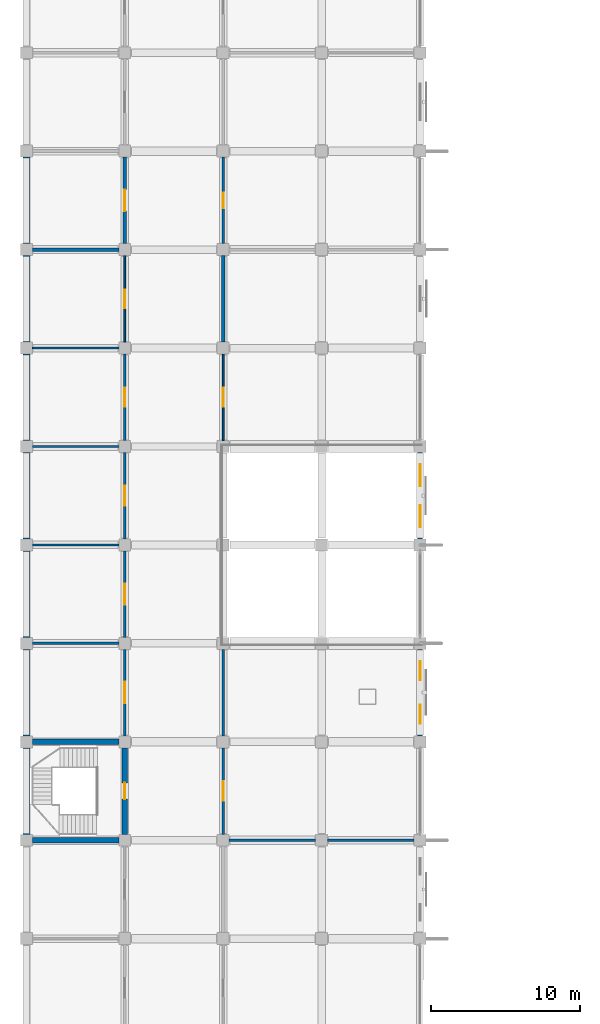
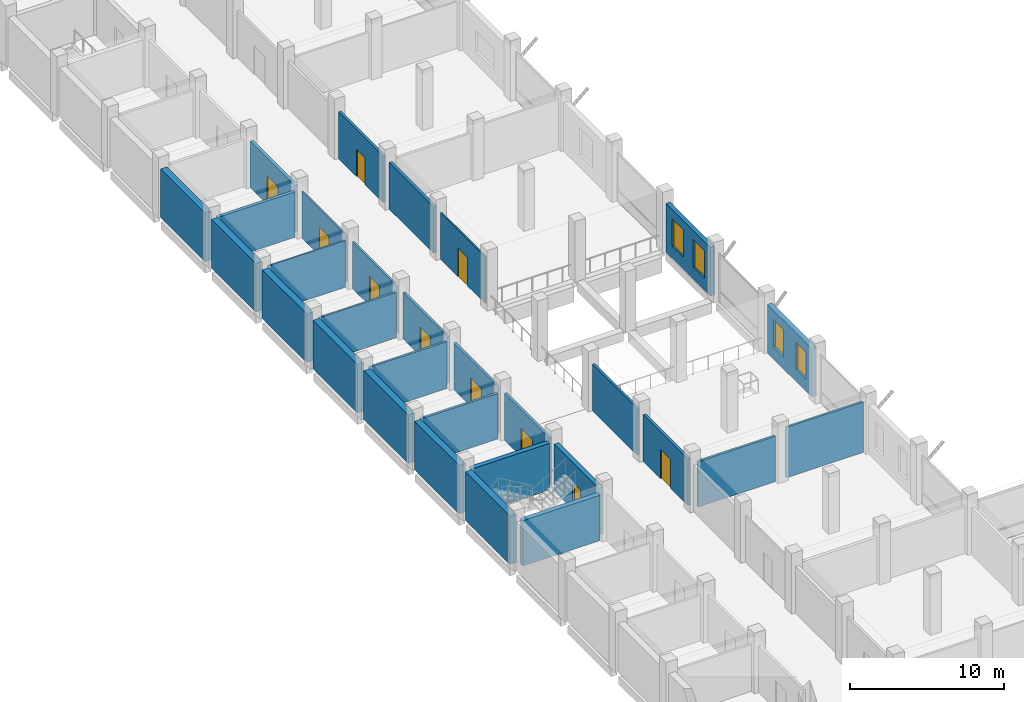
# One storey, part 23 of 34: 30 walls, 10 doors, 4 windows, 14 openings.
"""IFC4 building model written with IfcOpenShell, lengths in metres."""

from ifc_helpers import new_model, si_unit, direction, frame, frame_2d, origin, place, context, subcontext, project, spatial, rectangle, extrude, material, layer, layer_set, type_object, element, fill, save


model = new_model("IFC4")

# Units and contexts
model_context = context("Model", 3, precision=1e-05, world=origin(), true_north=direction((0.0, 1.0)))
body_context = subcontext(model_context, "Body", "Model", "MODEL_VIEW")
ifc_project = project(units=[si_unit("LENGTHUNIT", "METRE"), si_unit("AREAUNIT", "SQUARE_METRE"), si_unit("VOLUMEUNIT", "CUBIC_METRE"), si_unit("PLANEANGLEUNIT", "RADIAN"), si_unit("MASSUNIT", "GRAM", prefix="KILO")], contexts=[model_context])

# Site, building, storey
site_placement = place(None, origin())
site = spatial("IfcSite", under=ifc_project, at=site_placement, CompositionType="ELEMENT")
building_placement = place(site_placement, origin())
building = spatial("IfcBuilding", under=site, at=building_placement, Name="Rusizi Kubbe Research Institute", CompositionType="ELEMENT")
storey_placement = place(building_placement, frame((0.0, 0.0, 5.39990234375)))
storey = spatial("IfcBuildingStorey", under=building, at=storey_placement, Name="L01", CompositionType="ELEMENT", Elevation=5.39990234375)

# Walls
ifc_material_1 = material(Name="Concrete C45/55", Category="concrete")
ifc_layer_1 = layer(ifc_material_1, 0.35009765625)
ifc_layer_set_1 = layer_set([ifc_layer_1], Name="Concrete C45/55")
wall_type_1 = type_object("IfcWallType", Name="CRW-01", PredefinedType="SHEAR", material=ifc_layer_set_1)
wall_1_placement = place(storey_placement, frame((0.39990234375, 66.0, 0.0), z_axis=(0.0, 0.0, 1.0), x_axis=(1.0, 0.0, 0.0)))
element("IfcWall", 1, at=wall_1_placement, inside=storey, type_object=wall_type_1, Name="Stair Core Shear Wall ST5 L01 S", PredefinedType="SHEAR", context=body_context, shape_type="SweptSolid", body=[
    extrude(rectangle(XDim=5.800048828125, YDim=0.35009765625, at=frame_2d((2.89990234375, 0.0))), origin(), (0.0, 0.0, 1.0), 3.60009765625),
])
wall_2_placement = place(storey_placement, frame((0.39990234375, 72.60009765625, 0.0), z_axis=(0.0, 0.0, 1.0), x_axis=(1.0, 0.0, 0.0)))
element("IfcWall", 2, at=wall_2_placement, inside=storey, type_object=wall_type_1, Name="Stair Core Shear Wall ST5 L01 N", PredefinedType="SHEAR", context=body_context, shape_type="SweptSolid", body=[
    extrude(rectangle(XDim=5.800048828125, YDim=0.35009765625, at=frame_2d((2.89990234375, 0.0))), origin(), (0.0, 0.0, 1.0), 3.7001953125),
])

# Wall, opening, door
wall_3_placement = place(storey_placement, frame((6.60009765625, 66.39990234375, 0.0), z_axis=(0.0, 0.0, 1.0), x_axis=(0.0, 1.0, 0.0)))
wall_3 = element("IfcWall", 3, at=wall_3_placement, inside=storey, type_object=wall_type_1, Name="Stair Core Shear Wall ST5 L01 E", PredefinedType="SHEAR", context=body_context, shape_type="SweptSolid", body=[
    extrude(rectangle(XDim=5.800048828125, YDim=0.35009765625, at=frame_2d((2.89990234375, 0.0))), origin(), (0.0, 0.0, 1.0), 3.7001953125),
])
opening_1_placement = place(wall_3_placement, frame((2.35009765625, 0.0, 0.0)))
opening_1 = element("IfcOpeningElement", 4, at=opening_1_placement, cuts=wall_3, Name="Opening D-01", PredefinedType="OPENING", context=body_context, shape_type="SweptSolid", body=[
    extrude(rectangle(XDim=1.10009765625, YDim=2.14990234375, at=frame_2d((0.550048828125, 1.074951171875))), frame((0.0, 0.18505859375, 0.0), z_axis=(0.0, -1.0, 0.0), x_axis=(1.0, 0.0, 0.0)), (0.0, 0.0, 1.0), 0.3701171875),
])
ifc_material_2 = material(Name="Fire-Rated Steel Frame and Acoustic Timber Leaf", Category="wood")
door_type_1 = type_object("IfcDoorType", Name="ID-STAIR-110", OperationType="NOTDEFINED", PredefinedType="DOOR", material=ifc_material_2)
door_1_placement = place(opening_1_placement, origin())
door_1 = element("IfcDoor", 5, at=door_1_placement, inside=storey, type_object=door_type_1, Name="Exit Stair Door ST5 L01", OperationType="SINGLE_SWING_LEFT", OverallHeight=2.14990234375, OverallWidth=1.10009765625, PredefinedType="DOOR", context=body_context, shape_type="SweptSolid", body=[
    extrude(rectangle(XDim=1.10009765625, YDim=2.14990234375, at=frame_2d((0.550048828125, 1.074951171875))), frame((0.0, 0.02490234375, 0.0), z_axis=(0.0, -1.0, 0.0), x_axis=(1.0, 0.0, 0.0)), (0.0, 0.0, 1.0), 0.050048828125),
])
fill(opening_1, door_1)

# Wall, openings, windows
ifc_material_3 = material(Name="Volcanic Basalt Ashlar Masonry", Category="masonry")
ifc_layer_2 = layer(ifc_material_3, 0.35498046875)
ifc_layer_set_2 = layer_set([ifc_layer_2], Name="Volcanic Basalt Ashlar Masonry")
wall_type_2 = type_object("IfcWallType", Name="EW-06", PredefinedType="SOLIDWALL", material=ifc_layer_set_2)
wall_4_placement = place(storey_placement, frame((26.39990234375, 73.0, 0.0), z_axis=(0.0, 0.0, 1.0), x_axis=(0.0, 1.0, 0.0)))
wall_4 = element("IfcWall", 6, at=wall_4_placement, inside=storey, type_object=wall_type_2, Name="Ablaq Stone Exterior Wall L01 V4-11", PredefinedType="SOLIDWALL", context=body_context, shape_type="SweptSolid", body=[
    extrude(rectangle(XDim=5.800048828125, YDim=0.35498046875, at=frame_2d((2.89990234375, 0.0))), origin(), (0.0, 0.0, 1.0), 3.85009765625),
])
opening_2_placement = place(wall_4_placement, frame((0.800048828125, 0.0, 0.949951171875)))
opening_2 = element("IfcOpeningElement", 7, at=opening_2_placement, cuts=wall_4, Name="Opening WN-35", PredefinedType="OPENING", context=body_context, shape_type="SweptSolid", body=[
    extrude(rectangle(XDim=1.280029296875, YDim=2.159912109375, at=frame_2d((0.64013671875, 1.080078125))), frame((0.0, 0.1875, 0.0), z_axis=(0.0, -1.0, 0.0), x_axis=(1.0, 0.0, 0.0)), (0.0, 0.0, 1.0), 0.375),
])
opening_3_placement = place(wall_4_placement, frame((3.719970703125, 0.0, 0.949951171875)))
opening_3 = element("IfcOpeningElement", 8, at=opening_3_placement, cuts=wall_4, Name="Opening WN-35", PredefinedType="OPENING", context=body_context, shape_type="SweptSolid", body=[
    extrude(rectangle(XDim=1.280029296875, YDim=2.159912109375, at=frame_2d((0.64013671875, 1.080078125))), frame((0.0, 0.1875, 0.0), z_axis=(0.0, -1.0, 0.0), x_axis=(1.0, 0.0, 0.0)), (0.0, 0.0, 1.0), 0.375),
])
ifc_material_4 = material(Name="Aluminium Frame and Solar-Control Double Glazing", Category="glass")
window_type_1 = type_object("IfcWindowType", Name="WN-35", PartitioningType="SINGLE_PANEL", PredefinedType="WINDOW", material=ifc_material_4)
window_1_placement = place(opening_2_placement, origin())
window_1 = element("IfcWindow", 9, at=window_1_placement, inside=storey, type_object=window_type_1, Name="Casement Window WN-35 L01", OverallHeight=2.159912109375, OverallWidth=1.280029296875, PartitioningType="SINGLE_PANEL", PredefinedType="WINDOW", context=body_context, shape_type="SweptSolid", body=[
    extrude(rectangle(XDim=1.280029296875, YDim=2.159912109375, at=frame_2d((0.64013671875, 1.080078125))), frame((0.0, 0.030029296875, 0.0), z_axis=(0.0, -1.0, 0.0), x_axis=(1.0, 0.0, 0.0)), (0.0, 0.0, 1.0), 0.06005859375),
])
fill(opening_2, window_1)
window_2_placement = place(opening_3_placement, origin())
window_2 = element("IfcWindow", 10, at=window_2_placement, inside=storey, type_object=window_type_1, Name="Casement Window WN-35 L01", OverallHeight=2.159912109375, OverallWidth=1.280029296875, PartitioningType="SINGLE_PANEL", PredefinedType="WINDOW", context=body_context, shape_type="SweptSolid", body=[
    extrude(rectangle(XDim=1.280029296875, YDim=2.159912109375, at=frame_2d((0.64013671875, 1.080078125))), frame((0.0, 0.030029296875, 0.0), z_axis=(0.0, -1.0, 0.0), x_axis=(1.0, 0.0, 0.0)), (0.0, 0.0, 1.0), 0.06005859375),
])
fill(opening_3, window_2)

ifc_material_5 = material(Name="Volcanic Basalt Ashlar Masonry", Category="masonry")
ifc_layer_3 = layer(ifc_material_5, 0.324951171875)
ifc_layer_set_3 = layer_set([ifc_layer_3], Name="Volcanic Basalt Ashlar Masonry")
wall_type_3 = type_object("IfcWallType", Name="EW-08", PredefinedType="SOLIDWALL", material=ifc_layer_set_3)
wall_5_placement = place(storey_placement, frame((26.39990234375, 86.199951171875, 0.0), z_axis=(0.0, 0.0, 1.0), x_axis=(0.0, 1.0, 0.0)))
wall_5 = element("IfcWall", 11, at=wall_5_placement, inside=storey, type_object=wall_type_3, Name="Ablaq Stone Exterior Wall L01 V4-13", PredefinedType="SOLIDWALL", context=body_context, shape_type="SweptSolid", body=[
    extrude(rectangle(XDim=5.800048828125, YDim=0.324951171875, at=frame_2d((2.89990234375, 0.0))), origin(), (0.0, 0.0, 1.0), 3.85009765625),
])
opening_4_placement = place(wall_5_placement, frame((0.800048828125, 0.0, 0.949951171875)))
opening_4 = element("IfcOpeningElement", 12, at=opening_4_placement, cuts=wall_5, Name="Opening WN-36", PredefinedType="OPENING", context=body_context, shape_type="SweptSolid", body=[
    extrude(rectangle(XDim=1.4599609375, YDim=2.179931640625, at=frame_2d((0.72998046875, 1.08984375))), frame((0.0, 0.17236328125, 0.0), z_axis=(0.0, -1.0, 0.0), x_axis=(1.0, 0.0, 0.0)), (0.0, 0.0, 1.0), 0.344970703125),
])
opening_5_placement = place(wall_5_placement, frame((3.5400390625, 0.0, 0.949951171875)))
opening_5 = element("IfcOpeningElement", 13, at=opening_5_placement, cuts=wall_5, Name="Opening WN-36", PredefinedType="OPENING", context=body_context, shape_type="SweptSolid", body=[
    extrude(rectangle(XDim=1.4599609375, YDim=2.179931640625, at=frame_2d((0.72998046875, 1.08984375))), frame((0.0, 0.17236328125, 0.0), z_axis=(0.0, -1.0, 0.0), x_axis=(1.0, 0.0, 0.0)), (0.0, 0.0, 1.0), 0.344970703125),
])
ifc_material_6 = material(Name="Aluminium Frame and Solar-Control Double Glazing", Category="glass")
window_type_2 = type_object("IfcWindowType", Name="WN-36", PartitioningType="DOUBLE_PANEL_VERTICAL", PredefinedType="WINDOW", material=ifc_material_6)
window_3_placement = place(opening_4_placement, origin())
window_3 = element("IfcWindow", 14, at=window_3_placement, inside=storey, type_object=window_type_2, Name="Casement Window WN-36 L01", OverallHeight=2.179931640625, OverallWidth=1.4599609375, PartitioningType="DOUBLE_PANEL_VERTICAL", PredefinedType="WINDOW", context=body_context, shape_type="SweptSolid", body=[
    extrude(rectangle(XDim=1.4599609375, YDim=2.179931640625, at=frame_2d((0.72998046875, 1.08984375))), frame((0.0, 0.030029296875, 0.0), z_axis=(0.0, -1.0, 0.0), x_axis=(1.0, 0.0, 0.0)), (0.0, 0.0, 1.0), 0.06005859375),
])
fill(opening_4, window_3)
window_4_placement = place(opening_5_placement, origin())
window_4 = element("IfcWindow", 15, at=window_4_placement, inside=storey, type_object=window_type_2, Name="Casement Window WN-36 L01", OverallHeight=2.179931640625, OverallWidth=1.4599609375, PartitioningType="DOUBLE_PANEL_VERTICAL", PredefinedType="WINDOW", context=body_context, shape_type="SweptSolid", body=[
    extrude(rectangle(XDim=1.4599609375, YDim=2.179931640625, at=frame_2d((0.72998046875, 1.08984375))), frame((0.0, 0.030029296875, 0.0), z_axis=(0.0, -1.0, 0.0), x_axis=(1.0, 0.0, 0.0)), (0.0, 0.0, 1.0), 0.06005859375),
])
fill(opening_5, window_4)

# Wall
ifc_material_7 = material(Name="Concrete Blockwork Fire Partition", Category="masonry")
ifc_layer_4 = layer(ifc_material_7, 0.22509765625)
ifc_layer_set_4 = layer_set([ifc_layer_4], Name="Concrete Blockwork Fire Partition")
wall_type_4 = type_object("IfcWallType", Name="IW-01", PredefinedType="PARTITIONING", material=ifc_layer_set_4)
wall_6_placement = place(storey_placement, frame((0.39990234375, 105.60009765625, 0.0), z_axis=(0.0, 0.0, 1.0), x_axis=(1.0, 0.0, 0.0)))
element("IfcWall", 16, at=wall_6_placement, inside=storey, type_object=wall_type_4, Name="Interior Partition Wall L01 H0-16", PredefinedType="PARTITIONING", context=body_context, shape_type="SweptSolid", body=[
    extrude(rectangle(XDim=5.800048828125, YDim=0.22509765625, at=frame_2d((2.89990234375, 0.0))), origin(), (0.0, 0.0, 1.0), 3.60009765625),
])

# Wall, opening, door
wall_7_placement = place(storey_placement, frame((6.60009765625, 106.0, 0.0), z_axis=(0.0, 0.0, 1.0), x_axis=(0.0, 1.0, 0.0)))
wall_7 = element("IfcWall", 17, at=wall_7_placement, inside=storey, type_object=wall_type_4, Name="Interior Partition Wall L01 V1-16", PredefinedType="PARTITIONING", context=body_context, shape_type="SweptSolid", body=[
    extrude(rectangle(XDim=5.800048828125, YDim=0.22509765625, at=frame_2d((2.89990234375, 0.0))), origin(), (0.0, 0.0, 1.0), 3.7001953125),
])
opening_6_placement = place(wall_7_placement, frame((2.175048828125, 0.0, 0.0)))
opening_6 = element("IfcOpeningElement", 18, at=opening_6_placement, cuts=wall_7, Name="Opening D-11", PredefinedType="OPENING", context=body_context, shape_type="SweptSolid", body=[
    extrude(rectangle(XDim=1.449951171875, YDim=2.25, at=frame_2d((0.72509765625, 1.125))), frame((0.0, 0.12255859375, 0.0), z_axis=(0.0, -1.0, 0.0), x_axis=(1.0, 0.0, 0.0)), (0.0, 0.0, 1.0), 0.2451171875),
])
ifc_material_8 = material(Name="Fire-Rated Steel Frame and Acoustic Timber Leaf", Category="wood")
door_type_2 = type_object("IfcDoorType", Name="ID-LAB-145", OperationType="NOTDEFINED", PredefinedType="DOOR", material=ifc_material_8)
door_2_placement = place(opening_6_placement, origin())
door_2 = element("IfcDoor", 19, at=door_2_placement, inside=storey, type_object=door_type_2, Name="Door to Service Spine Autoclave Room (L01-WSP-16)", OperationType="SINGLE_SWING_LEFT", OverallHeight=2.25, OverallWidth=1.449951171875, PredefinedType="DOOR", context=body_context, shape_type="SweptSolid", body=[
    extrude(rectangle(XDim=1.449951171875, YDim=2.25, at=frame_2d((0.72509765625, 1.125))), frame((0.0, 0.02490234375, 0.0), z_axis=(0.0, -1.0, 0.0), x_axis=(1.0, 0.0, 0.0)), (0.0, 0.0, 1.0), 0.050048828125),
])
fill(opening_6, door_2)

# Wall
wall_8_placement = place(storey_placement, frame((13.199951171875, 99.39990234375, 0.0), z_axis=(0.0, 0.0, 1.0), x_axis=(0.0, 1.0, 0.0)))
element("IfcWall", 20, at=wall_8_placement, inside=storey, type_object=wall_type_4, Name="Interior Partition Wall L01 V2-15", PredefinedType="PARTITIONING", context=body_context, shape_type="SweptSolid", body=[
    extrude(rectangle(XDim=5.800048828125, YDim=0.22509765625, at=frame_2d((2.89990234375, 0.0))), origin(), (0.0, 0.0, 1.0), 3.7001953125),
])

# Wall, opening, door
ifc_material_9 = material(Name="Insulated Cleanroom Partition", Category="masonry")
ifc_layer_5 = layer(ifc_material_9, 0.195068359375)
ifc_layer_set_5 = layer_set([ifc_layer_5], Name="Insulated Cleanroom Partition")
wall_type_5 = type_object("IfcWallType", Name="IW-02", PredefinedType="PARTITIONING", material=ifc_layer_set_5)
wall_9_placement = place(storey_placement, frame((6.60009765625, 73.0, 0.0), z_axis=(0.0, 0.0, 1.0), x_axis=(0.0, 1.0, 0.0)))
wall_9 = element("IfcWall", 21, at=wall_9_placement, inside=storey, type_object=wall_type_5, Name="Interior Partition Wall L01 V1-11", PredefinedType="PARTITIONING", context=body_context, shape_type="SweptSolid", body=[
    extrude(rectangle(XDim=5.800048828125, YDim=0.195068359375, at=frame_2d((2.89990234375, 0.0))), origin(), (0.0, 0.0, 1.0), 3.7001953125),
])
opening_7_placement = place(wall_9_placement, frame((2.175048828125, 0.0, 0.0)))
opening_7 = element("IfcOpeningElement", 22, at=opening_7_placement, cuts=wall_9, Name="Opening D-11", PredefinedType="OPENING", context=body_context, shape_type="SweptSolid", body=[
    extrude(rectangle(XDim=1.449951171875, YDim=2.25, at=frame_2d((0.72509765625, 1.125))), frame((0.0, 0.107421875, 0.0), z_axis=(0.0, -1.0, 0.0), x_axis=(1.0, 0.0, 0.0)), (0.0, 0.0, 1.0), 0.215087890625),
])
door_3_placement = place(opening_7_placement, origin())
door_3 = element("IfcDoor", 23, at=door_3_placement, inside=storey, type_object=door_type_2, Name="Door to Clean Room Metrology Laboratory (L01-WSP-11)", OperationType="SINGLE_SWING_LEFT", OverallHeight=2.25, OverallWidth=1.449951171875, PredefinedType="DOOR", context=body_context, shape_type="SweptSolid", body=[
    extrude(rectangle(XDim=1.449951171875, YDim=2.25, at=frame_2d((0.72509765625, 1.125))), frame((0.0, 0.02490234375, 0.0), z_axis=(0.0, -1.0, 0.0), x_axis=(1.0, 0.0, 0.0)), (0.0, 0.0, 1.0), 0.050048828125),
])
fill(opening_7, door_3)

wall_10_placement = place(storey_placement, frame((13.199951171875, 66.39990234375, 0.0), z_axis=(0.0, 0.0, 1.0), x_axis=(0.0, 1.0, 0.0)))
wall_10 = element("IfcWall", 24, at=wall_10_placement, inside=storey, type_object=wall_type_5, Name="Interior Partition Wall L01 V2-10", PredefinedType="PARTITIONING", context=body_context, shape_type="SweptSolid", body=[
    extrude(rectangle(XDim=5.800048828125, YDim=0.195068359375, at=frame_2d((2.89990234375, 0.0))), origin(), (0.0, 0.0, 1.0), 3.7001953125),
])
opening_8_placement = place(wall_10_placement, frame((2.25, 0.0, 0.0)))
opening_8 = element("IfcOpeningElement", 25, at=opening_8_placement, cuts=wall_10, Name="Opening D-14", PredefinedType="OPENING", context=body_context, shape_type="SweptSolid", body=[
    extrude(rectangle(XDim=1.300048828125, YDim=2.300048828125, at=frame_2d((0.64990234375, 1.14990234375))), frame((0.0, 0.107421875, 0.0), z_axis=(0.0, -1.0, 0.0), x_axis=(1.0, 0.0, 0.0)), (0.0, 0.0, 1.0), 0.215087890625),
])
ifc_material_10 = material(Name="Fire-Rated Steel Frame and Acoustic Timber Leaf", Category="wood")
door_type_3 = type_object("IfcDoorType", Name="ID-LAB-130", OperationType="NOTDEFINED", PredefinedType="DOOR", material=ifc_material_10)
door_4_placement = place(opening_8_placement, origin())
door_4 = element("IfcDoor", 26, at=door_4_placement, inside=storey, type_object=door_type_3, Name="Door to Bioscience Wet Laboratory (L01-NW-05)", OperationType="SINGLE_SWING_RIGHT", OverallHeight=2.300048828125, OverallWidth=1.300048828125, PredefinedType="DOOR", context=body_context, shape_type="SweptSolid", body=[
    extrude(rectangle(XDim=1.300048828125, YDim=2.300048828125, at=frame_2d((0.64990234375, 1.14990234375))), frame((0.0, 0.02490234375, 0.0), z_axis=(0.0, -1.0, 0.0), x_axis=(1.0, 0.0, 0.0)), (0.0, 0.0, 1.0), 0.050048828125),
])
fill(opening_8, door_4)

wall_11_placement = place(storey_placement, frame((13.199951171875, 106.0, 0.0), z_axis=(0.0, 0.0, 1.0), x_axis=(0.0, 1.0, 0.0)))
wall_11 = element("IfcWall", 27, at=wall_11_placement, inside=storey, type_object=wall_type_5, Name="Interior Partition Wall L01 V2-16", PredefinedType="PARTITIONING", context=body_context, shape_type="SweptSolid", body=[
    extrude(rectangle(XDim=5.800048828125, YDim=0.195068359375, at=frame_2d((2.89990234375, 0.0))), origin(), (0.0, 0.0, 1.0), 3.7001953125),
])
opening_9_placement = place(wall_11_placement, frame((2.375, 0.0, 0.0)))
opening_9 = element("IfcOpeningElement", 28, at=opening_9_placement, cuts=wall_11, Name="Opening D-16", PredefinedType="OPENING", context=body_context, shape_type="SweptSolid", body=[
    extrude(rectangle(XDim=1.050048828125, YDim=2.14990234375, at=frame_2d((0.52490234375, 1.074951171875))), frame((0.0, 0.107421875, 0.0), z_axis=(0.0, -1.0, 0.0), x_axis=(1.0, 0.0, 0.0)), (0.0, 0.0, 1.0), 0.215087890625),
])
ifc_material_11 = material(Name="Fire-Rated Steel Frame and Acoustic Timber Leaf", Category="wood")
door_type_4 = type_object("IfcDoorType", Name="ID-OFF-105", OperationType="NOTDEFINED", PredefinedType="DOOR", material=ifc_material_11)
door_5_placement = place(opening_9_placement, origin())
door_5 = element("IfcDoor", 29, at=door_5_placement, inside=storey, type_object=door_type_4, Name="Door to Write-up Office (L01-NW-07)", OperationType="SINGLE_SWING_LEFT", OverallHeight=2.14990234375, OverallWidth=1.050048828125, PredefinedType="DOOR", context=body_context, shape_type="SweptSolid", body=[
    extrude(rectangle(XDim=1.050048828125, YDim=2.14990234375, at=frame_2d((0.52490234375, 1.074951171875))), frame((0.0, 0.02490234375, 0.0), z_axis=(0.0, -1.0, 0.0), x_axis=(1.0, 0.0, 0.0)), (0.0, 0.0, 1.0), 0.050048828125),
])
fill(opening_9, door_5)

# Wall
ifc_material_12 = material(Name="Acoustic Laboratory Partition", Category="masonry")
ifc_layer_6 = layer(ifc_material_12, 0.175048828125)
ifc_layer_set_6 = layer_set([ifc_layer_6], Name="Acoustic Laboratory Partition")
wall_type_6 = type_object("IfcWallType", Name="IW-03", PredefinedType="PARTITIONING", material=ifc_layer_set_6)
wall_12_placement = place(storey_placement, frame((0.39990234375, 79.199951171875, 0.0), z_axis=(0.0, 0.0, 1.0), x_axis=(1.0, 0.0, 0.0)))
element("IfcWall", 30, at=wall_12_placement, inside=storey, type_object=wall_type_6, Name="Interior Partition Wall L01 H0-12", PredefinedType="PARTITIONING", context=body_context, shape_type="SweptSolid", body=[
    extrude(rectangle(XDim=5.800048828125, YDim=0.175048828125, at=frame_2d((2.89990234375, 0.0))), origin(), (0.0, 0.0, 1.0), 3.60009765625),
])

# Wall, opening, door
wall_13_placement = place(storey_placement, frame((6.60009765625, 79.60009765625, 0.0), z_axis=(0.0, 0.0, 1.0), x_axis=(0.0, 1.0, 0.0)))
wall_13 = element("IfcWall", 31, at=wall_13_placement, inside=storey, type_object=wall_type_6, Name="Interior Partition Wall L01 V1-12", PredefinedType="PARTITIONING", context=body_context, shape_type="SweptSolid", body=[
    extrude(rectangle(XDim=5.7998046875, YDim=0.175048828125, at=frame_2d((2.89990234375, 0.0))), origin(), (0.0, 0.0, 1.0), 3.7001953125),
])
opening_10_placement = place(wall_13_placement, frame((2.199951171875, 0.0, 0.0)))
opening_10 = element("IfcOpeningElement", 32, at=opening_10_placement, cuts=wall_13, Name="Opening D-12", PredefinedType="OPENING", context=body_context, shape_type="SweptSolid", body=[
    extrude(rectangle(XDim=1.39990234375, YDim=2.25, at=frame_2d((0.699951171875, 1.125))), frame((0.0, 0.097412109375, 0.0), z_axis=(0.0, -1.0, 0.0), x_axis=(1.0, 0.0, 0.0)), (0.0, 0.0, 1.0), 0.195068359375),
])
ifc_material_13 = material(Name="Fire-Rated Steel Frame and Acoustic Timber Leaf", Category="wood")
door_type_5 = type_object("IfcDoorType", Name="ID-LAB-140", OperationType="NOTDEFINED", PredefinedType="DOOR", material=ifc_material_13)
door_6_placement = place(opening_10_placement, origin())
door_6 = element("IfcDoor", 33, at=door_6_placement, inside=storey, type_object=door_type_5, Name="Door to Service Spine Autoclave Room (L01-WSP-12)", OperationType="SINGLE_SWING_RIGHT", OverallHeight=2.25, OverallWidth=1.39990234375, PredefinedType="DOOR", context=body_context, shape_type="SweptSolid", body=[
    extrude(rectangle(XDim=1.39990234375, YDim=2.25, at=frame_2d((0.699951171875, 1.125))), frame((0.0, 0.02490234375, 0.0), z_axis=(0.0, -1.0, 0.0), x_axis=(1.0, 0.0, 0.0)), (0.0, 0.0, 1.0), 0.050048828125),
])
fill(opening_10, door_6)

# Walls
wall_14_placement = place(storey_placement, frame((13.199951171875, 73.0, 0.0), z_axis=(0.0, 0.0, 1.0), x_axis=(0.0, 1.0, 0.0)))
element("IfcWall", 34, at=wall_14_placement, inside=storey, type_object=wall_type_6, Name="Interior Partition Wall L01 V2-11", PredefinedType="PARTITIONING", context=body_context, shape_type="SweptSolid", body=[
    extrude(rectangle(XDim=5.800048828125, YDim=0.175048828125, at=frame_2d((2.89990234375, 0.0))), origin(), (0.0, 0.0, 1.0), 3.7001953125),
])
wall_15_placement = place(storey_placement, frame((13.60009765625, 66.0, 0.0), z_axis=(0.0, 0.0, 1.0), x_axis=(1.0, 0.0, 0.0)))
element("IfcWall", 35, at=wall_15_placement, inside=storey, type_object=wall_type_6, Name="Interior Partition Wall L01 H2-10", PredefinedType="PARTITIONING", context=body_context, shape_type="SweptSolid", body=[
    extrude(rectangle(XDim=5.7998046875, YDim=0.175048828125, at=frame_2d((2.89990234375, 0.0))), origin(), (0.0, 0.0, 1.0), 3.60009765625),
])
ifc_material_14 = material(Name="Fire-Rated Corridor Partition", Category="masonry")
ifc_layer_7 = layer(ifc_material_14, 0.155029296875)
ifc_layer_set_7 = layer_set([ifc_layer_7], Name="Fire-Rated Corridor Partition")
wall_type_7 = type_object("IfcWallType", Name="IW-04", PredefinedType="PARTITIONING", material=ifc_layer_set_7)
wall_16_placement = place(storey_placement, frame((0.39990234375, 85.800048828125, 0.0), z_axis=(0.0, 0.0, 1.0), x_axis=(1.0, 0.0, 0.0)))
element("IfcWall", 36, at=wall_16_placement, inside=storey, type_object=wall_type_7, Name="Interior Partition Wall L01 H0-13", PredefinedType="PARTITIONING", context=body_context, shape_type="SweptSolid", body=[
    extrude(rectangle(XDim=5.800048828125, YDim=0.155029296875, at=frame_2d((2.89990234375, 0.0))), origin(), (0.0, 0.0, 1.0), 3.7001953125),
])

# Wall, opening, door
wall_17_placement = place(storey_placement, frame((6.60009765625, 86.199951171875, 0.0), z_axis=(0.0, 0.0, 1.0), x_axis=(0.0, 1.0, 0.0)))
wall_17 = element("IfcWall", 37, at=wall_17_placement, inside=storey, type_object=wall_type_7, Name="Interior Partition Wall L01 V1-13", PredefinedType="PARTITIONING", context=body_context, shape_type="SweptSolid", body=[
    extrude(rectangle(XDim=5.800048828125, YDim=0.155029296875, at=frame_2d((2.89990234375, 0.0))), origin(), (0.0, 0.0, 1.0), 3.7001953125),
])
opening_11_placement = place(wall_17_placement, frame((2.22509765625, 0.0, 0.0)))
opening_11 = element("IfcOpeningElement", 38, at=opening_11_placement, cuts=wall_17, Name="Opening D-13", PredefinedType="OPENING", context=body_context, shape_type="SweptSolid", body=[
    extrude(rectangle(XDim=1.35009765625, YDim=2.300048828125, at=frame_2d((0.675048828125, 1.14990234375))), frame((0.0, 0.08740234375, 0.0), z_axis=(0.0, -1.0, 0.0), x_axis=(1.0, 0.0, 0.0)), (0.0, 0.0, 1.0), 0.175048828125),
])
ifc_material_15 = material(Name="Fire-Rated Steel Frame and Acoustic Timber Leaf", Category="wood")
door_type_6 = type_object("IfcDoorType", Name="ID-LAB-135", OperationType="NOTDEFINED", PredefinedType="DOOR", material=ifc_material_15)
door_7_placement = place(opening_11_placement, origin())
door_7 = element("IfcDoor", 39, at=door_7_placement, inside=storey, type_object=door_type_6, Name="Door to Clean Room Metrology Laboratory (L01-WSP-13)", OperationType="SINGLE_SWING_LEFT", OverallHeight=2.300048828125, OverallWidth=1.35009765625, PredefinedType="DOOR", context=body_context, shape_type="SweptSolid", body=[
    extrude(rectangle(XDim=1.35009765625, YDim=2.300048828125, at=frame_2d((0.675048828125, 1.14990234375))), frame((0.0, 0.02490234375, 0.0), z_axis=(0.0, -1.0, 0.0), x_axis=(1.0, 0.0, 0.0)), (0.0, 0.0, 1.0), 0.050048828125),
])
fill(opening_11, door_7)

# Walls
wall_18_placement = place(storey_placement, frame((20.199951171875, 66.0, 0.0), z_axis=(0.0, 0.0, 1.0), x_axis=(1.0, 0.0, 0.0)))
element("IfcWall", 40, at=wall_18_placement, inside=storey, type_object=wall_type_7, Name="Interior Partition Wall L01 H3-10", PredefinedType="PARTITIONING", context=body_context, shape_type="SweptSolid", body=[
    extrude(rectangle(XDim=5.800048828125, YDim=0.155029296875, at=frame_2d((2.89990234375, 0.0))), origin(), (0.0, 0.0, 1.0), 4.0),
])
ifc_material_16 = material(Name="Write-up Glazed Acoustic Partition", Category="masonry")
ifc_layer_8 = layer(ifc_material_16, 0.139892578125)
ifc_layer_set_8 = layer_set([ifc_layer_8], Name="Write-up Glazed Acoustic Partition")
wall_type_8 = type_object("IfcWallType", Name="IW-05", PredefinedType="PARTITIONING", material=ifc_layer_set_8)
wall_19_placement = place(storey_placement, frame((0.39990234375, 92.39990234375, 0.0), z_axis=(0.0, 0.0, 1.0), x_axis=(1.0, 0.0, 0.0)))
element("IfcWall", 41, at=wall_19_placement, inside=storey, type_object=wall_type_8, Name="Interior Partition Wall L01 H0-14", PredefinedType="PARTITIONING", context=body_context, shape_type="SweptSolid", body=[
    extrude(rectangle(XDim=5.800048828125, YDim=0.139892578125, at=frame_2d((2.89990234375, 0.0))), origin(), (0.0, 0.0, 1.0), 3.60009765625),
])

# Wall, opening, door
wall_20_placement = place(storey_placement, frame((6.60009765625, 92.800048828125, 0.0), z_axis=(0.0, 0.0, 1.0), x_axis=(0.0, 1.0, 0.0)))
wall_20 = element("IfcWall", 42, at=wall_20_placement, inside=storey, type_object=wall_type_8, Name="Interior Partition Wall L01 V1-14", PredefinedType="PARTITIONING", context=body_context, shape_type="SweptSolid", body=[
    extrude(rectangle(XDim=5.800048828125, YDim=0.139892578125, at=frame_2d((2.89990234375, 0.0))), origin(), (0.0, 0.0, 1.0), 3.7001953125),
])
opening_12_placement = place(wall_20_placement, frame((2.25, 0.0, 0.0)))
opening_12 = element("IfcOpeningElement", 43, at=opening_12_placement, cuts=wall_20, Name="Opening D-14", PredefinedType="OPENING", context=body_context, shape_type="SweptSolid", body=[
    extrude(rectangle(XDim=1.300048828125, YDim=2.300048828125, at=frame_2d((0.64990234375, 1.14990234375))), frame((0.0, 0.079833984375, 0.0), z_axis=(0.0, -1.0, 0.0), x_axis=(1.0, 0.0, 0.0)), (0.0, 0.0, 1.0), 0.159912109375),
])
door_8_placement = place(opening_12_placement, origin())
door_8 = element("IfcDoor", 44, at=door_8_placement, inside=storey, type_object=door_type_3, Name="Door to Service Spine Autoclave Room (L01-WSP-14)", OperationType="SINGLE_SWING_RIGHT", OverallHeight=2.300048828125, OverallWidth=1.300048828125, PredefinedType="DOOR", context=body_context, shape_type="SweptSolid", body=[
    extrude(rectangle(XDim=1.300048828125, YDim=2.300048828125, at=frame_2d((0.64990234375, 1.14990234375))), frame((0.0, 0.02490234375, 0.0), z_axis=(0.0, -1.0, 0.0), x_axis=(1.0, 0.0, 0.0)), (0.0, 0.0, 1.0), 0.050048828125),
])
fill(opening_12, door_8)

# Wall
ifc_material_17 = material(Name="Sub-Suite Fire Partition", Category="masonry")
ifc_layer_9 = layer(ifc_material_17, 0.110107421875)
ifc_layer_set_9 = layer_set([ifc_layer_9], Name="Sub-Suite Fire Partition")
wall_type_9 = type_object("IfcWallType", Name="IW-07", PredefinedType="PARTITIONING", material=ifc_layer_set_9)
wall_21_placement = place(storey_placement, frame((0.39990234375, 99.0, 0.0), z_axis=(0.0, 0.0, 1.0), x_axis=(1.0, 0.0, 0.0)))
element("IfcWall", 45, at=wall_21_placement, inside=storey, type_object=wall_type_9, Name="Interior Partition Wall L01 H0-15", PredefinedType="PARTITIONING", context=body_context, shape_type="SweptSolid", body=[
    extrude(rectangle(XDim=5.800048828125, YDim=0.110107421875, at=frame_2d((2.89990234375, 0.0))), origin(), (0.0, 0.0, 1.0), 3.7001953125),
])

# Wall, opening, door
wall_22_placement = place(storey_placement, frame((6.60009765625, 99.39990234375, 0.0), z_axis=(0.0, 0.0, 1.0), x_axis=(0.0, 1.0, 0.0)))
wall_22 = element("IfcWall", 46, at=wall_22_placement, inside=storey, type_object=wall_type_9, Name="Interior Partition Wall L01 V1-15", PredefinedType="PARTITIONING", context=body_context, shape_type="SweptSolid", body=[
    extrude(rectangle(XDim=5.800048828125, YDim=0.110107421875, at=frame_2d((2.89990234375, 0.0))), origin(), (0.0, 0.0, 1.0), 3.7001953125),
])
opening_13_placement = place(wall_22_placement, frame((2.27490234375, 0.0, 0.0)))
opening_13 = element("IfcOpeningElement", 47, at=opening_13_placement, cuts=wall_22, Name="Opening D-15", PredefinedType="OPENING", context=body_context, shape_type="SweptSolid", body=[
    extrude(rectangle(XDim=1.25, YDim=2.25, at=frame_2d((0.625, 1.125))), frame((0.0, 0.06494140625, 0.0), z_axis=(0.0, -1.0, 0.0), x_axis=(1.0, 0.0, 0.0)), (0.0, 0.0, 1.0), 0.130126953125),
])
ifc_material_18 = material(Name="Fire-Rated Steel Frame and Acoustic Timber Leaf", Category="wood")
door_type_7 = type_object("IfcDoorType", Name="ID-LAB-125", OperationType="NOTDEFINED", PredefinedType="DOOR", material=ifc_material_18)
door_9_placement = place(opening_13_placement, origin())
door_9 = element("IfcDoor", 48, at=door_9_placement, inside=storey, type_object=door_type_7, Name="Door to Clean Room Metrology Laboratory (L01-WSP-15)", OperationType="SINGLE_SWING_LEFT", OverallHeight=2.25, OverallWidth=1.25, PredefinedType="DOOR", context=body_context, shape_type="SweptSolid", body=[
    extrude(rectangle(XDim=1.25, YDim=2.25, at=frame_2d((0.625, 1.125))), frame((0.0, 0.02490234375, 0.0), z_axis=(0.0, -1.0, 0.0), x_axis=(1.0, 0.0, 0.0)), (0.0, 0.0, 1.0), 0.050048828125),
])
fill(opening_13, door_9)

wall_23_placement = place(storey_placement, frame((13.199951171875, 92.800048828125, 0.0), z_axis=(0.0, 0.0, 1.0), x_axis=(0.0, 1.0, 0.0)))
wall_23 = element("IfcWall", 49, at=wall_23_placement, inside=storey, type_object=wall_type_9, Name="Interior Partition Wall L01 V2-14", PredefinedType="PARTITIONING", context=body_context, shape_type="SweptSolid", body=[
    extrude(rectangle(XDim=5.800048828125, YDim=0.110107421875, at=frame_2d((2.89990234375, 0.0))), origin(), (0.0, 0.0, 1.0), 3.7001953125),
])
opening_14_placement = place(wall_23_placement, frame((2.27490234375, 0.0, 0.0)))
opening_14 = element("IfcOpeningElement", 50, at=opening_14_placement, cuts=wall_23, Name="Opening D-15", PredefinedType="OPENING", context=body_context, shape_type="SweptSolid", body=[
    extrude(rectangle(XDim=1.25, YDim=2.25, at=frame_2d((0.625, 1.125))), frame((0.0, 0.06494140625, 0.0), z_axis=(0.0, -1.0, 0.0), x_axis=(1.0, 0.0, 0.0)), (0.0, 0.0, 1.0), 0.130126953125),
])
door_10_placement = place(opening_14_placement, origin())
door_10 = element("IfcDoor", 51, at=door_10_placement, inside=storey, type_object=door_type_7, Name="Door to Computational Dry Laboratory (L01-NW-06)", OperationType="SINGLE_SWING_LEFT", OverallHeight=2.25, OverallWidth=1.25, PredefinedType="DOOR", context=body_context, shape_type="SweptSolid", body=[
    extrude(rectangle(XDim=1.25, YDim=2.25, at=frame_2d((0.625, 1.125))), frame((0.0, 0.02490234375, 0.0), z_axis=(0.0, -1.0, 0.0), x_axis=(1.0, 0.0, 0.0)), (0.0, 0.0, 1.0), 0.050048828125),
])
fill(opening_14, door_10)

# Walls
ifc_material_19 = material(Name="Concrete C40/50", Category="concrete")
ifc_layer_10 = layer(ifc_material_19, 0.47998046875)
ifc_layer_set_10 = layer_set([ifc_layer_10], Name="Concrete C40/50")
wall_type_10 = type_object("IfcWallType", Name="PW-01", PredefinedType="SOLIDWALL", material=ifc_layer_set_10)
for number, where, z_axis, x_axis, name in (
    (52, (0.0, 66.39990234375, 0.0), (0.0, 0.0, 1.0), (0.0, 1.0, 0.0), "Blind Party Wall L01 V0-10"),
    (53, (0.0, 73.0, 0.0), (0.0, 0.0, 1.0), (0.0, 1.0, 0.0), "Blind Party Wall L01 V0-11"),
):
    element("IfcWall", number, at=place(storey_placement, frame(where, z_axis=z_axis, x_axis=x_axis)), inside=storey, type_object=wall_type_10, Name=name, PredefinedType="SOLIDWALL", context=body_context, shape_type="SweptSolid", body=[
        extrude(rectangle(XDim=5.800048828125, YDim=0.47998046875, at=frame_2d((2.89990234375, 0.0))), origin(), (0.0, 0.0, 1.0), 3.85009765625),
    ])
wall_24_placement = place(storey_placement, frame((0.0, 79.60009765625, 0.0), z_axis=(0.0, 0.0, 1.0), x_axis=(0.0, 1.0, 0.0)))
element("IfcWall", 54, at=wall_24_placement, inside=storey, type_object=wall_type_10, Name="Blind Party Wall L01 V0-12", PredefinedType="SOLIDWALL", context=body_context, shape_type="SweptSolid", body=[
    extrude(rectangle(XDim=5.7998046875, YDim=0.47998046875, at=frame_2d((2.89990234375, 0.0))), origin(), (0.0, 0.0, 1.0), 3.85009765625),
])
for number, where, z_axis, x_axis, name in (
    (55, (0.0, 86.199951171875, 0.0), (0.0, 0.0, 1.0), (0.0, 1.0, 0.0), "Blind Party Wall L01 V0-13"),
    (56, (0.0, 92.800048828125, 0.0), (0.0, 0.0, 1.0), (0.0, 1.0, 0.0), "Blind Party Wall L01 V0-14"),
    (57, (0.0, 99.39990234375, 0.0), (0.0, 0.0, 1.0), (0.0, 1.0, 0.0), "Blind Party Wall L01 V0-15"),
    (58, (0.0, 106.0, 0.0), (0.0, 0.0, 1.0), (0.0, 1.0, 0.0), "Blind Party Wall L01 V0-16"),
):
    element("IfcWall", number, at=place(storey_placement, frame(where, z_axis=z_axis, x_axis=x_axis)), inside=storey, type_object=wall_type_10, Name=name, PredefinedType="SOLIDWALL", context=body_context, shape_type="SweptSolid", body=[
        extrude(rectangle(XDim=5.800048828125, YDim=0.47998046875, at=frame_2d((2.89990234375, 0.0))), origin(), (0.0, 0.0, 1.0), 3.85009765625),
    ])

save(model, "model.ifc")
